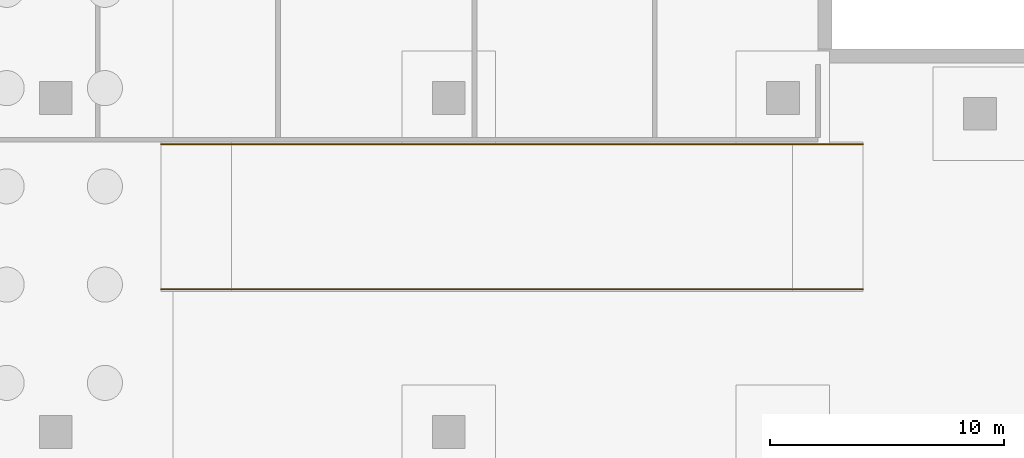
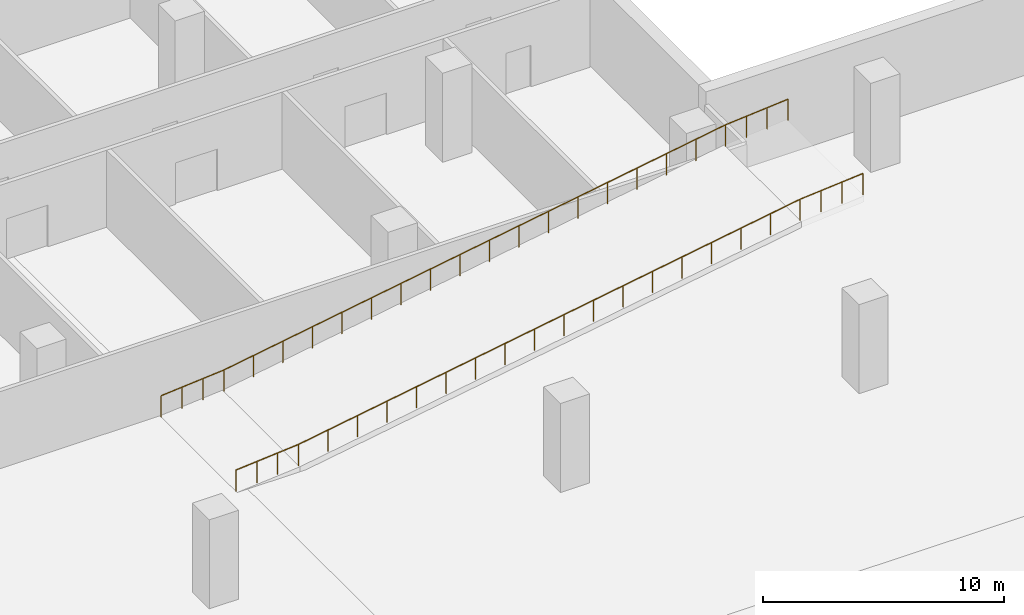
# One storey, part 13 of 13: 2 railings.
"""IFC4 building model written with IfcOpenShell, lengths in metres."""

from ifc_helpers import new_model, si_unit, direction, frame, origin, origin_2d, place, context, subcontext, project, spatial, circle, extrude, source, transform, mapped, material, type_object, element, save


model = new_model("IFC4")

# Units and contexts
model_context = context("Model", 3, precision=1e-05, world=origin(), true_north=direction((0.0, 1.0)))
body_context = subcontext(model_context, "Body", "Model", "MODEL_VIEW")
ifc_project = project(units=[si_unit("LENGTHUNIT", "METRE"), si_unit("AREAUNIT", "SQUARE_METRE"), si_unit("VOLUMEUNIT", "CUBIC_METRE"), si_unit("PLANEANGLEUNIT", "RADIAN"), si_unit("MASSUNIT", "GRAM", prefix="KILO")], contexts=[model_context])

# Site, building, storey
site_placement = place(None, origin())
site = spatial("IfcSite", under=ifc_project, at=site_placement, CompositionType="ELEMENT")
building_placement = place(site_placement, origin())
building = spatial("IfcBuilding", under=site, at=building_placement, Name="Aurelian Terraces", CompositionType="ELEMENT")
storey_placement = place(building_placement, frame((0.0, 0.0, -13.5)))
storey = spatial("IfcBuildingStorey", under=building, at=storey_placement, Name="B3", CompositionType="ELEMENT", Elevation=-13.5)

# Railings
ifc_material = material(Name="Stainless steel", Category="steel")
railing_type = type_object("IfcRailingType", Name="Ramp guard 1100", PredefinedType="GUARDRAIL", material=ifc_material)
railing_1_placement = place(storey_placement, frame((25.5, 43.9, 0.0)))
element("IfcRailing", 1, at=railing_1_placement, inside=storey, type_object=railing_type, Name="Ramp guard R3 south", PredefinedType="GUARDRAIL", context=body_context, shape_type="SweptSolid", body=[
    extrude(circle(Radius=0.024, at=origin_2d()), frame((0.0, 0.0, 1.076), z_axis=(0.996545758245, 0.0, 0.083045479854), x_axis=(0.0, 1.0, 0.0)), (0.0, 0.0, 1.0), 3.0104),
    extrude(circle(Radius=0.024, at=origin_2d()), frame((3.0, 0.0, 1.326), z_axis=(0.986393923832, 0.0, 0.164398987305), x_axis=(0.0, 1.0, 0.0)), (0.0, 0.0, 1.0), 24.3311),
    extrude(circle(Radius=0.024, at=origin_2d()), frame((27.0, 0.0, 5.326), z_axis=(0.996545758245, 0.0, 0.083045479854), x_axis=(0.0, 1.0, 0.0)), (0.0, 0.0, 1.0), 3.0104),
    extrude(circle(Radius=0.021, at=origin_2d()), origin(), (0.0, 0.0, 1.0), 1.052),
    extrude(circle(Radius=0.021, at=origin_2d()), frame((1.0, 0.0, 0.0833)), (0.0, 0.0, 1.0), 1.052),
    extrude(circle(Radius=0.021, at=origin_2d()), frame((2.0, 0.0, 0.1667)), (0.0, 0.0, 1.0), 1.052),
    extrude(circle(Radius=0.021, at=origin_2d()), frame((3.0, 0.0, 0.25)), (0.0, 0.0, 1.0), 1.052),
    extrude(circle(Radius=0.021, at=origin_2d()), frame((4.4118, 0.0, 0.4853)), (0.0, 0.0, 1.0), 1.052),
    extrude(circle(Radius=0.021, at=origin_2d()), frame((5.8235, 0.0, 0.7206)), (0.0, 0.0, 1.0), 1.052),
    extrude(circle(Radius=0.021, at=origin_2d()), frame((7.2353, 0.0, 0.9559)), (0.0, 0.0, 1.0), 1.052),
    extrude(circle(Radius=0.021, at=origin_2d()), frame((8.6471, 0.0, 1.1912)), (0.0, 0.0, 1.0), 1.052),
    extrude(circle(Radius=0.021, at=origin_2d()), frame((10.0588, 0.0, 1.4265)), (0.0, 0.0, 1.0), 1.052),
    extrude(circle(Radius=0.021, at=origin_2d()), frame((11.4706, 0.0, 1.6618)), (0.0, 0.0, 1.0), 1.052),
    extrude(circle(Radius=0.021, at=origin_2d()), frame((12.8824, 0.0, 1.8971)), (0.0, 0.0, 1.0), 1.052),
    extrude(circle(Radius=0.021, at=origin_2d()), frame((14.2941, 0.0, 2.1324)), (0.0, 0.0, 1.0), 1.052),
    extrude(circle(Radius=0.021, at=origin_2d()), frame((15.7059, 0.0, 2.3676)), (0.0, 0.0, 1.0), 1.052),
    extrude(circle(Radius=0.021, at=origin_2d()), frame((17.1176, 0.0, 2.6029)), (0.0, 0.0, 1.0), 1.052),
    extrude(circle(Radius=0.021, at=origin_2d()), frame((18.5294, 0.0, 2.8382)), (0.0, 0.0, 1.0), 1.052),
    extrude(circle(Radius=0.021, at=origin_2d()), frame((19.9412, 0.0, 3.0735)), (0.0, 0.0, 1.0), 1.052),
    extrude(circle(Radius=0.021, at=origin_2d()), frame((21.3529, 0.0, 3.3088)), (0.0, 0.0, 1.0), 1.052),
    extrude(circle(Radius=0.021, at=origin_2d()), frame((22.7647, 0.0, 3.5441)), (0.0, 0.0, 1.0), 1.052),
    extrude(circle(Radius=0.021, at=origin_2d()), frame((24.1765, 0.0, 3.7794)), (0.0, 0.0, 1.0), 1.052),
    extrude(circle(Radius=0.021, at=origin_2d()), frame((25.5882, 0.0, 4.0147)), (0.0, 0.0, 1.0), 1.052),
    extrude(circle(Radius=0.021, at=origin_2d()), frame((27.0, 0.0, 4.25)), (0.0, 0.0, 1.0), 1.052),
    extrude(circle(Radius=0.021, at=origin_2d()), frame((28.0, 0.0, 4.3333)), (0.0, 0.0, 1.0), 1.052),
    extrude(circle(Radius=0.021, at=origin_2d()), frame((29.0, 0.0, 4.4167)), (0.0, 0.0, 1.0), 1.052),
    extrude(circle(Radius=0.021, at=origin_2d()), frame((30.0, 0.0, 4.5)), (0.0, 0.0, 1.0), 1.052),
])
shared_shape = source(origin(), body_context, "Body", "SweptSolid", [
    extrude(circle(Radius=0.024, at=origin_2d()), frame((0.0, 0.0, 1.076), z_axis=(0.996545758245, 0.0, 0.083045479854), x_axis=(0.0, 1.0, 0.0)), (0.0, 0.0, 1.0), 3.0104),
    extrude(circle(Radius=0.024, at=origin_2d()), frame((3.0, 0.0, 1.326), z_axis=(0.986393923832, 0.0, 0.164398987305), x_axis=(0.0, 1.0, 0.0)), (0.0, 0.0, 1.0), 24.3311),
    extrude(circle(Radius=0.024, at=origin_2d()), frame((27.0, 0.0, 5.326), z_axis=(0.996545758245, 0.0, 0.083045479854), x_axis=(0.0, 1.0, 0.0)), (0.0, 0.0, 1.0), 3.0104),
    extrude(circle(Radius=0.021, at=origin_2d()), origin(), (0.0, 0.0, 1.0), 1.052),
    extrude(circle(Radius=0.021, at=origin_2d()), frame((1.0, 0.0, 0.0833)), (0.0, 0.0, 1.0), 1.052),
    extrude(circle(Radius=0.021, at=origin_2d()), frame((2.0, 0.0, 0.1667)), (0.0, 0.0, 1.0), 1.052),
    extrude(circle(Radius=0.021, at=origin_2d()), frame((3.0, 0.0, 0.25)), (0.0, 0.0, 1.0), 1.052),
    extrude(circle(Radius=0.021, at=origin_2d()), frame((4.4118, 0.0, 0.4853)), (0.0, 0.0, 1.0), 1.052),
    extrude(circle(Radius=0.021, at=origin_2d()), frame((5.8235, 0.0, 0.7206)), (0.0, 0.0, 1.0), 1.052),
    extrude(circle(Radius=0.021, at=origin_2d()), frame((7.2353, 0.0, 0.9559)), (0.0, 0.0, 1.0), 1.052),
    extrude(circle(Radius=0.021, at=origin_2d()), frame((8.6471, 0.0, 1.1912)), (0.0, 0.0, 1.0), 1.052),
    extrude(circle(Radius=0.021, at=origin_2d()), frame((10.0588, 0.0, 1.4265)), (0.0, 0.0, 1.0), 1.052),
    extrude(circle(Radius=0.021, at=origin_2d()), frame((11.4706, 0.0, 1.6618)), (0.0, 0.0, 1.0), 1.052),
    extrude(circle(Radius=0.021, at=origin_2d()), frame((12.8824, 0.0, 1.8971)), (0.0, 0.0, 1.0), 1.052),
    extrude(circle(Radius=0.021, at=origin_2d()), frame((14.2941, 0.0, 2.1324)), (0.0, 0.0, 1.0), 1.052),
    extrude(circle(Radius=0.021, at=origin_2d()), frame((15.7059, 0.0, 2.3676)), (0.0, 0.0, 1.0), 1.052),
    extrude(circle(Radius=0.021, at=origin_2d()), frame((17.1176, 0.0, 2.6029)), (0.0, 0.0, 1.0), 1.052),
    extrude(circle(Radius=0.021, at=origin_2d()), frame((18.5294, 0.0, 2.8382)), (0.0, 0.0, 1.0), 1.052),
    extrude(circle(Radius=0.021, at=origin_2d()), frame((19.9412, 0.0, 3.0735)), (0.0, 0.0, 1.0), 1.052),
    extrude(circle(Radius=0.021, at=origin_2d()), frame((21.3529, 0.0, 3.3088)), (0.0, 0.0, 1.0), 1.052),
    extrude(circle(Radius=0.021, at=origin_2d()), frame((22.7647, 0.0, 3.5441)), (0.0, 0.0, 1.0), 1.052),
    extrude(circle(Radius=0.021, at=origin_2d()), frame((24.1765, 0.0, 3.7794)), (0.0, 0.0, 1.0), 1.052),
    extrude(circle(Radius=0.021, at=origin_2d()), frame((25.5882, 0.0, 4.0147)), (0.0, 0.0, 1.0), 1.052),
    extrude(circle(Radius=0.021, at=origin_2d()), frame((27.0, 0.0, 4.25)), (0.0, 0.0, 1.0), 1.052),
    extrude(circle(Radius=0.021, at=origin_2d()), frame((28.0, 0.0, 4.3333)), (0.0, 0.0, 1.0), 1.052),
    extrude(circle(Radius=0.021, at=origin_2d()), frame((29.0, 0.0, 4.4167)), (0.0, 0.0, 1.0), 1.052),
    extrude(circle(Radius=0.021, at=origin_2d()), frame((30.0, 0.0, 4.5)), (0.0, 0.0, 1.0), 1.052),
])
railing_2_placement = place(storey_placement, frame((25.5, 50.1, 0.0)))
element("IfcRailing", 2, at=railing_2_placement, inside=storey, type_object=railing_type, Name="Ramp guard R3 north", PredefinedType="GUARDRAIL", context=body_context, shape_type="MappedRepresentation", body=[
    mapped(shared_shape, transform((0.0, 0.0, 0.0), scale=1.0)),
])

save(model, "model.ifc")
